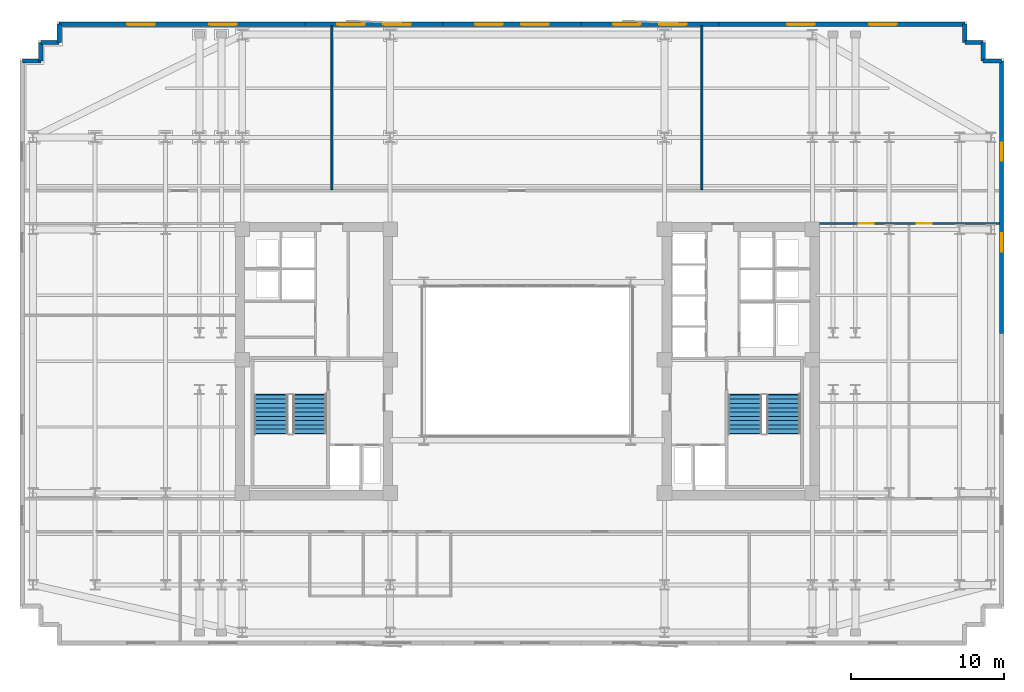
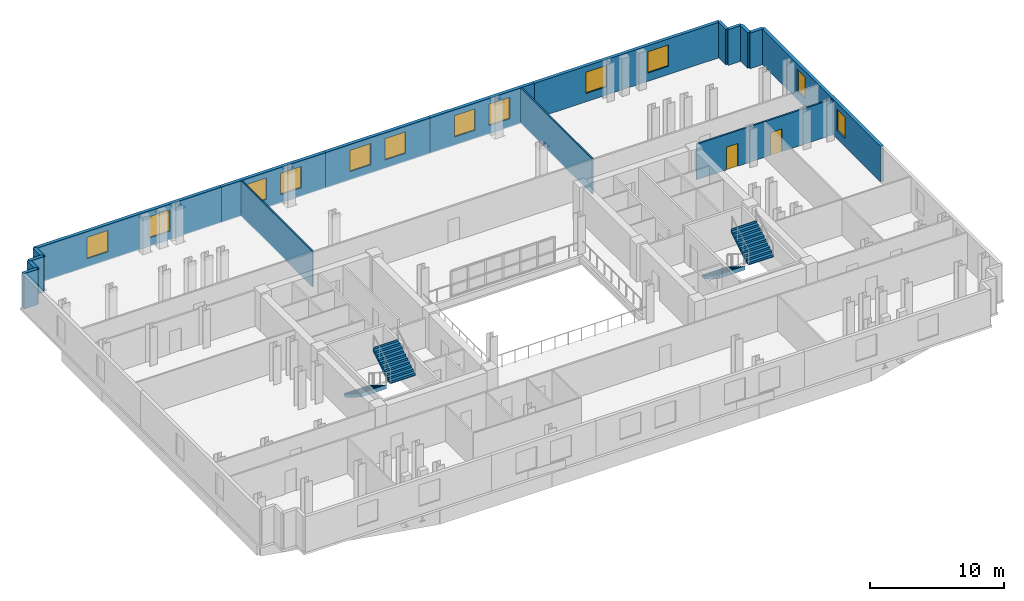
# One storey, part 10 of 12: 17 walls, 12 windows, 4 stair flights, 2 doors, 14 openings, 2 elements without a shape of their own.
"""IFC4 building model written with IfcOpenShell, lengths in metres."""

from ifc_helpers import new_model, si_unit, direction, frame, frame_2d, origin, place, context, subcontext, project, spatial, polyline, rectangle, outline, extrude, material, layer, layer_set, type_object, element, fill, aggregate, save


model = new_model("IFC4")

# Units and contexts
model_context = context("Model", 3, precision=1e-05, world=origin(), true_north=direction((0.0, 1.0)))
body_context = subcontext(model_context, "Body", "Model", "MODEL_VIEW")
ifc_project = project(units=[si_unit("LENGTHUNIT", "METRE"), si_unit("AREAUNIT", "SQUARE_METRE"), si_unit("VOLUMEUNIT", "CUBIC_METRE"), si_unit("PLANEANGLEUNIT", "RADIAN"), si_unit("MASSUNIT", "GRAM", prefix="KILO")], contexts=[model_context])

# Site, building, storey
site_placement = place(None, origin())
site = spatial("IfcSite", under=ifc_project, at=site_placement, CompositionType="ELEMENT")
building_placement = place(site_placement, origin())
building = spatial("IfcBuilding", under=site, at=building_placement, Name="Velakula Bourse", CompositionType="ELEMENT")
storey_placement = place(building_placement, frame((0.0, 0.0, 120.85009765625)))
storey = spatial("IfcBuildingStorey", under=building, at=storey_placement, Name="L32", CompositionType="ELEMENT", Elevation=120.85009765625)

# Wall, openings, windows
ifc_material_1 = material(Name="Red kilned clay facing brick masonry", Category="masonry")
ifc_layer_1 = layer(ifc_material_1, 0.280029296875, Name="Red kilned clay facing brick masonry", Category="masonry")
ifc_layer_set_1 = layer_set([ifc_layer_1], Name="Red kilned clay facing brick masonry")
wall_type_1 = type_object("IfcWallType", Name="WL-EXT-BRK-280", PredefinedType="STANDARD", material=ifc_layer_set_1)
wall_1_placement = place(storey_placement, frame((-30.5400390625, 21.989990234375, 0.0), z_axis=(0.0, 0.0, 1.0), x_axis=(1.0, 0.0, 0.0)))
wall_1 = element("IfcWall", 1, at=wall_1_placement, inside=storey, type_object=wall_type_1, Name="L32 N Brick Spandrel Wall B1", PredefinedType="STANDARD", context=body_context, shape_type="SweptSolid", body=[
    extrude(rectangle(XDim=16.0400390625, YDim=0.280029296875, at=frame_2d((8.02001953125, 0.0))), origin(), (0.0, 0.0, 1.0), 3.25),
])
opening_1_placement = place(wall_1_placement, frame((4.44677734375, 0.0, 0.760009765625)))
opening_1 = element("IfcOpeningElement", 2, at=opening_1_placement, cuts=wall_1, Name="Opening W-01", PredefinedType="OPENING", context=body_context, shape_type="SweptSolid", body=[
    extrude(rectangle(XDim=1.800048828125, YDim=1.949951171875, at=frame_2d((0.89990234375, 0.97509765625))), frame((0.0, 0.14990234375, 0.0), z_axis=(0.0, -1.0, 0.0), x_axis=(1.0, 0.0, 0.0)), (0.0, 0.0, 1.0), 0.300048828125),
])
opening_2_placement = place(wall_1_placement, frame((9.793212890625, 0.0, 0.760009765625)))
opening_2 = element("IfcOpeningElement", 3, at=opening_2_placement, cuts=wall_1, Name="Opening W-01", PredefinedType="OPENING", context=body_context, shape_type="SweptSolid", body=[
    extrude(rectangle(XDim=1.800048828125, YDim=1.949951171875, at=frame_2d((0.89990234375, 0.97509765625))), frame((0.0, 0.14990234375, 0.0), z_axis=(0.0, -1.0, 0.0), x_axis=(1.0, 0.0, 0.0)), (0.0, 0.0, 1.0), 0.300048828125),
])
ifc_material_2 = material(Name="Double-glazed solar-control Low-E glass", Category="glass")
window_type_1 = type_object("IfcWindowType", Name="WIN-TWR-1800x2100", PartitioningType="SINGLE_PANEL", PredefinedType="WINDOW", material=ifc_material_2)
window_1_placement = place(opening_1_placement, origin())
window_1 = element("IfcWindow", 4, at=window_1_placement, inside=storey, type_object=window_type_1, Name="L32 Deep-Set Recessed Window 1", OverallHeight=1.949951171875, OverallWidth=1.800048828125, PartitioningType="SINGLE_PANEL", PredefinedType="WINDOW", context=body_context, shape_type="SweptSolid", body=[
    extrude(rectangle(XDim=1.800048828125, YDim=1.949951171875, at=frame_2d((0.89990234375, 0.97509765625))), frame((0.0, 0.030029296875, 0.0), z_axis=(0.0, -1.0, 0.0), x_axis=(1.0, 0.0, 0.0)), (0.0, 0.0, 1.0), 0.06005859375),
])
fill(opening_1, window_1)
window_2_placement = place(opening_2_placement, origin())
window_2 = element("IfcWindow", 5, at=window_2_placement, inside=storey, type_object=window_type_1, Name="L32 Deep-Set Recessed Window 2", OverallHeight=1.949951171875, OverallWidth=1.800048828125, PartitioningType="SINGLE_PANEL", PredefinedType="WINDOW", context=body_context, shape_type="SweptSolid", body=[
    extrude(rectangle(XDim=1.800048828125, YDim=1.949951171875, at=frame_2d((0.89990234375, 0.97509765625))), frame((0.0, 0.030029296875, 0.0), z_axis=(0.0, -1.0, 0.0), x_axis=(1.0, 0.0, 0.0)), (0.0, 0.0, 1.0), 0.06005859375),
])
fill(opening_2, window_2)

wall_2_placement = place(storey_placement, frame((-14.5, 21.989990234375, 0.0), z_axis=(0.0, 0.0, 1.0), x_axis=(1.0, 0.0, 0.0)))
wall_2 = element("IfcWall", 6, at=wall_2_placement, inside=storey, type_object=wall_type_1, Name="L32 N Brick Spandrel Wall B2", PredefinedType="STANDARD", context=body_context, shape_type="SweptSolid", body=[
    extrude(rectangle(XDim=9.0, YDim=0.280029296875, at=frame_2d((4.5, 0.0))), origin(), (0.0, 0.0, 1.0), 3.25),
])
opening_3_placement = place(wall_2_placement, frame((2.10009765625, 0.0, 0.760009765625)))
opening_3 = element("IfcOpeningElement", 7, at=opening_3_placement, cuts=wall_2, Name="Opening W-01", PredefinedType="OPENING", context=body_context, shape_type="SweptSolid", body=[
    extrude(rectangle(XDim=1.800048828125, YDim=1.949951171875, at=frame_2d((0.89990234375, 0.97509765625))), frame((0.0, 0.14990234375, 0.0), z_axis=(0.0, -1.0, 0.0), x_axis=(1.0, 0.0, 0.0)), (0.0, 0.0, 1.0), 0.300048828125),
])
opening_4_placement = place(wall_2_placement, frame((5.10009765625, 0.0, 0.760009765625)))
opening_4 = element("IfcOpeningElement", 8, at=opening_4_placement, cuts=wall_2, Name="Opening W-01", PredefinedType="OPENING", context=body_context, shape_type="SweptSolid", body=[
    extrude(rectangle(XDim=1.800048828125, YDim=1.949951171875, at=frame_2d((0.89990234375, 0.97509765625))), frame((0.0, 0.14990234375, 0.0), z_axis=(0.0, -1.0, 0.0), x_axis=(1.0, 0.0, 0.0)), (0.0, 0.0, 1.0), 0.300048828125),
])
window_3_placement = place(opening_3_placement, origin())
window_3 = element("IfcWindow", 9, at=window_3_placement, inside=storey, type_object=window_type_1, Name="L32 Deep-Set Recessed Window 1", OverallHeight=1.949951171875, OverallWidth=1.800048828125, PartitioningType="SINGLE_PANEL", PredefinedType="WINDOW", context=body_context, shape_type="SweptSolid", body=[
    extrude(rectangle(XDim=1.800048828125, YDim=1.949951171875, at=frame_2d((0.89990234375, 0.97509765625))), frame((0.0, 0.030029296875, 0.0), z_axis=(0.0, -1.0, 0.0), x_axis=(1.0, 0.0, 0.0)), (0.0, 0.0, 1.0), 0.06005859375),
])
fill(opening_3, window_3)
window_4_placement = place(opening_4_placement, origin())
window_4 = element("IfcWindow", 10, at=window_4_placement, inside=storey, type_object=window_type_1, Name="L32 Deep-Set Recessed Window 2", OverallHeight=1.949951171875, OverallWidth=1.800048828125, PartitioningType="SINGLE_PANEL", PredefinedType="WINDOW", context=body_context, shape_type="SweptSolid", body=[
    extrude(rectangle(XDim=1.800048828125, YDim=1.949951171875, at=frame_2d((0.89990234375, 0.97509765625))), frame((0.0, 0.030029296875, 0.0), z_axis=(0.0, -1.0, 0.0), x_axis=(1.0, 0.0, 0.0)), (0.0, 0.0, 1.0), 0.06005859375),
])
fill(opening_4, window_4)

wall_3_placement = place(storey_placement, frame((-5.5, 21.989990234375, 0.0), z_axis=(0.0, 0.0, 1.0), x_axis=(1.0, 0.0, 0.0)))
wall_3 = element("IfcWall", 11, at=wall_3_placement, inside=storey, type_object=wall_type_1, Name="L32 N Brick Spandrel Wall B3", PredefinedType="STANDARD", context=body_context, shape_type="SweptSolid", body=[
    extrude(rectangle(XDim=9.0, YDim=0.280029296875, at=frame_2d((4.5, 0.0))), origin(), (0.0, 0.0, 1.0), 3.25),
])
opening_5_placement = place(wall_3_placement, frame((2.10009765625, 0.0, 0.760009765625)))
opening_5 = element("IfcOpeningElement", 12, at=opening_5_placement, cuts=wall_3, Name="Opening W-01", PredefinedType="OPENING", context=body_context, shape_type="SweptSolid", body=[
    extrude(rectangle(XDim=1.800048828125, YDim=1.949951171875, at=frame_2d((0.89990234375, 0.97509765625))), frame((0.0, 0.14990234375, 0.0), z_axis=(0.0, -1.0, 0.0), x_axis=(1.0, 0.0, 0.0)), (0.0, 0.0, 1.0), 0.300048828125),
])
opening_6_placement = place(wall_3_placement, frame((5.10009765625, 0.0, 0.760009765625)))
opening_6 = element("IfcOpeningElement", 13, at=opening_6_placement, cuts=wall_3, Name="Opening W-01", PredefinedType="OPENING", context=body_context, shape_type="SweptSolid", body=[
    extrude(rectangle(XDim=1.800048828125, YDim=1.949951171875, at=frame_2d((0.89990234375, 0.97509765625))), frame((0.0, 0.14990234375, 0.0), z_axis=(0.0, -1.0, 0.0), x_axis=(1.0, 0.0, 0.0)), (0.0, 0.0, 1.0), 0.300048828125),
])
window_5_placement = place(opening_5_placement, origin())
window_5 = element("IfcWindow", 14, at=window_5_placement, inside=storey, type_object=window_type_1, Name="L32 Deep-Set Recessed Window 1", OverallHeight=1.949951171875, OverallWidth=1.800048828125, PartitioningType="SINGLE_PANEL", PredefinedType="WINDOW", context=body_context, shape_type="SweptSolid", body=[
    extrude(rectangle(XDim=1.800048828125, YDim=1.949951171875, at=frame_2d((0.89990234375, 0.97509765625))), frame((0.0, 0.030029296875, 0.0), z_axis=(0.0, -1.0, 0.0), x_axis=(1.0, 0.0, 0.0)), (0.0, 0.0, 1.0), 0.06005859375),
])
fill(opening_5, window_5)
window_6_placement = place(opening_6_placement, origin())
window_6 = element("IfcWindow", 15, at=window_6_placement, inside=storey, type_object=window_type_1, Name="L32 Deep-Set Recessed Window 2", OverallHeight=1.949951171875, OverallWidth=1.800048828125, PartitioningType="SINGLE_PANEL", PredefinedType="WINDOW", context=body_context, shape_type="SweptSolid", body=[
    extrude(rectangle(XDim=1.800048828125, YDim=1.949951171875, at=frame_2d((0.89990234375, 0.97509765625))), frame((0.0, 0.030029296875, 0.0), z_axis=(0.0, -1.0, 0.0), x_axis=(1.0, 0.0, 0.0)), (0.0, 0.0, 1.0), 0.06005859375),
])
fill(opening_6, window_6)

wall_4_placement = place(storey_placement, frame((3.5, 21.989990234375, 0.0), z_axis=(0.0, 0.0, 1.0), x_axis=(1.0, 0.0, 0.0)))
wall_4 = element("IfcWall", 16, at=wall_4_placement, inside=storey, type_object=wall_type_1, Name="L32 N Brick Spandrel Wall B4", PredefinedType="STANDARD", context=body_context, shape_type="SweptSolid", body=[
    extrude(rectangle(XDim=9.0, YDim=0.280029296875, at=frame_2d((4.5, 0.0))), origin(), (0.0, 0.0, 1.0), 3.25),
])
opening_7_placement = place(wall_4_placement, frame((2.10009765625, 0.0, 0.760009765625)))
opening_7 = element("IfcOpeningElement", 17, at=opening_7_placement, cuts=wall_4, Name="Opening W-01", PredefinedType="OPENING", context=body_context, shape_type="SweptSolid", body=[
    extrude(rectangle(XDim=1.800048828125, YDim=1.949951171875, at=frame_2d((0.89990234375, 0.97509765625))), frame((0.0, 0.14990234375, 0.0), z_axis=(0.0, -1.0, 0.0), x_axis=(1.0, 0.0, 0.0)), (0.0, 0.0, 1.0), 0.300048828125),
])
opening_8_placement = place(wall_4_placement, frame((5.10009765625, 0.0, 0.760009765625)))
opening_8 = element("IfcOpeningElement", 18, at=opening_8_placement, cuts=wall_4, Name="Opening W-01", PredefinedType="OPENING", context=body_context, shape_type="SweptSolid", body=[
    extrude(rectangle(XDim=1.800048828125, YDim=1.949951171875, at=frame_2d((0.89990234375, 0.97509765625))), frame((0.0, 0.14990234375, 0.0), z_axis=(0.0, -1.0, 0.0), x_axis=(1.0, 0.0, 0.0)), (0.0, 0.0, 1.0), 0.300048828125),
])
window_7_placement = place(opening_7_placement, origin())
window_7 = element("IfcWindow", 19, at=window_7_placement, inside=storey, type_object=window_type_1, Name="L32 Deep-Set Recessed Window 1", OverallHeight=1.949951171875, OverallWidth=1.800048828125, PartitioningType="SINGLE_PANEL", PredefinedType="WINDOW", context=body_context, shape_type="SweptSolid", body=[
    extrude(rectangle(XDim=1.800048828125, YDim=1.949951171875, at=frame_2d((0.89990234375, 0.97509765625))), frame((0.0, 0.030029296875, 0.0), z_axis=(0.0, -1.0, 0.0), x_axis=(1.0, 0.0, 0.0)), (0.0, 0.0, 1.0), 0.06005859375),
])
fill(opening_7, window_7)
window_8_placement = place(opening_8_placement, origin())
window_8 = element("IfcWindow", 20, at=window_8_placement, inside=storey, type_object=window_type_1, Name="L32 Deep-Set Recessed Window 2", OverallHeight=1.949951171875, OverallWidth=1.800048828125, PartitioningType="SINGLE_PANEL", PredefinedType="WINDOW", context=body_context, shape_type="SweptSolid", body=[
    extrude(rectangle(XDim=1.800048828125, YDim=1.949951171875, at=frame_2d((0.89990234375, 0.97509765625))), frame((0.0, 0.030029296875, 0.0), z_axis=(0.0, -1.0, 0.0), x_axis=(1.0, 0.0, 0.0)), (0.0, 0.0, 1.0), 0.06005859375),
])
fill(opening_8, window_8)

wall_5_placement = place(storey_placement, frame((12.5, 21.989990234375, 0.0), z_axis=(0.0, 0.0, 1.0), x_axis=(1.0, 0.0, 0.0)))
wall_5 = element("IfcWall", 21, at=wall_5_placement, inside=storey, type_object=wall_type_1, Name="L32 N Brick Spandrel Wall B5", PredefinedType="STANDARD", context=body_context, shape_type="SweptSolid", body=[
    extrude(rectangle(XDim=16.0400390625, YDim=0.280029296875, at=frame_2d((8.02001953125, 0.0))), origin(), (0.0, 0.0, 1.0), 3.25),
])
opening_9_placement = place(wall_5_placement, frame((4.44677734375, 0.0, 0.760009765625)))
opening_9 = element("IfcOpeningElement", 22, at=opening_9_placement, cuts=wall_5, Name="Opening W-01", PredefinedType="OPENING", context=body_context, shape_type="SweptSolid", body=[
    extrude(rectangle(XDim=1.800048828125, YDim=1.949951171875, at=frame_2d((0.89990234375, 0.97509765625))), frame((0.0, 0.14990234375, 0.0), z_axis=(0.0, -1.0, 0.0), x_axis=(1.0, 0.0, 0.0)), (0.0, 0.0, 1.0), 0.300048828125),
])
opening_10_placement = place(wall_5_placement, frame((9.793212890625, 0.0, 0.760009765625)))
opening_10 = element("IfcOpeningElement", 23, at=opening_10_placement, cuts=wall_5, Name="Opening W-01", PredefinedType="OPENING", context=body_context, shape_type="SweptSolid", body=[
    extrude(rectangle(XDim=1.800048828125, YDim=1.949951171875, at=frame_2d((0.89990234375, 0.97509765625))), frame((0.0, 0.14990234375, 0.0), z_axis=(0.0, -1.0, 0.0), x_axis=(1.0, 0.0, 0.0)), (0.0, 0.0, 1.0), 0.300048828125),
])
window_9_placement = place(opening_9_placement, origin())
window_9 = element("IfcWindow", 24, at=window_9_placement, inside=storey, type_object=window_type_1, Name="L32 Deep-Set Recessed Window 1", OverallHeight=1.949951171875, OverallWidth=1.800048828125, PartitioningType="SINGLE_PANEL", PredefinedType="WINDOW", context=body_context, shape_type="SweptSolid", body=[
    extrude(rectangle(XDim=1.800048828125, YDim=1.949951171875, at=frame_2d((0.89990234375, 0.97509765625))), frame((0.0, 0.030029296875, 0.0), z_axis=(0.0, -1.0, 0.0), x_axis=(1.0, 0.0, 0.0)), (0.0, 0.0, 1.0), 0.06005859375),
])
fill(opening_9, window_9)
window_10_placement = place(opening_10_placement, origin())
window_10 = element("IfcWindow", 25, at=window_10_placement, inside=storey, type_object=window_type_1, Name="L32 Deep-Set Recessed Window 2", OverallHeight=1.949951171875, OverallWidth=1.800048828125, PartitioningType="SINGLE_PANEL", PredefinedType="WINDOW", context=body_context, shape_type="SweptSolid", body=[
    extrude(rectangle(XDim=1.800048828125, YDim=1.949951171875, at=frame_2d((0.89990234375, 0.97509765625))), frame((0.0, 0.030029296875, 0.0), z_axis=(0.0, -1.0, 0.0), x_axis=(1.0, 0.0, 0.0)), (0.0, 0.0, 1.0), 0.06005859375),
])
fill(opening_10, window_10)

wall_6_placement = place(storey_placement, frame((30.93994140625, 19.590087890625, 0.0), z_axis=(0.0, 0.0, 1.0), x_axis=(0.0, -1.0, 0.0)))
wall_6 = element("IfcWall", 26, at=wall_6_placement, inside=storey, type_object=wall_type_1, Name="L32 E Brick End Wall W2", PredefinedType="STANDARD", context=body_context, shape_type="SweptSolid", body=[
    extrude(rectangle(XDim=17.7900390625, YDim=0.280029296875, at=frame_2d((8.89501953125, 0.0))), origin(), (0.0, 0.0, 1.0), 3.25),
])
opening_11_placement = place(wall_6_placement, frame((5.330078125, 0.0, 0.760009765625)))
opening_11 = element("IfcOpeningElement", 27, at=opening_11_placement, cuts=wall_6, Name="Opening W-04", PredefinedType="OPENING", context=body_context, shape_type="SweptSolid", body=[
    extrude(rectangle(XDim=1.199951171875, YDim=1.949951171875, at=frame_2d((0.60009765625, 0.97509765625))), frame((0.0, 0.14990234375, 0.0), z_axis=(0.0, -1.0, 0.0), x_axis=(1.0, 0.0, 0.0)), (0.0, 0.0, 1.0), 0.300048828125),
])
opening_12_placement = place(wall_6_placement, frame((11.260009765625, 0.0, 0.760009765625)))
opening_12 = element("IfcOpeningElement", 28, at=opening_12_placement, cuts=wall_6, Name="Opening W-04", PredefinedType="OPENING", context=body_context, shape_type="SweptSolid", body=[
    extrude(rectangle(XDim=1.199951171875, YDim=1.949951171875, at=frame_2d((0.60009765625, 0.97509765625))), frame((0.0, 0.14990234375, 0.0), z_axis=(0.0, -1.0, 0.0), x_axis=(1.0, 0.0, 0.0)), (0.0, 0.0, 1.0), 0.300048828125),
])
window_type_2 = type_object("IfcWindowType", Name="WIN-TWR-1200x2100", PartitioningType="SINGLE_PANEL", PredefinedType="WINDOW", material=ifc_material_2)
window_11_placement = place(opening_11_placement, origin())
window_11 = element("IfcWindow", 29, at=window_11_placement, inside=storey, type_object=window_type_2, Name="L32 Deep-Set Recessed Window 1", OverallHeight=1.949951171875, OverallWidth=1.199951171875, PartitioningType="SINGLE_PANEL", PredefinedType="WINDOW", context=body_context, shape_type="SweptSolid", body=[
    extrude(rectangle(XDim=1.199951171875, YDim=1.949951171875, at=frame_2d((0.60009765625, 0.97509765625))), frame((0.0, 0.030029296875, 0.0), z_axis=(0.0, -1.0, 0.0), x_axis=(1.0, 0.0, 0.0)), (0.0, 0.0, 1.0), 0.06005859375),
])
fill(opening_11, window_11)
window_12_placement = place(opening_12_placement, origin())
window_12 = element("IfcWindow", 30, at=window_12_placement, inside=storey, type_object=window_type_2, Name="L32 Deep-Set Recessed Window 2", OverallHeight=1.949951171875, OverallWidth=1.199951171875, PartitioningType="SINGLE_PANEL", PredefinedType="WINDOW", context=body_context, shape_type="SweptSolid", body=[
    extrude(rectangle(XDim=1.199951171875, YDim=1.949951171875, at=frame_2d((0.60009765625, 0.97509765625))), frame((0.0, 0.030029296875, 0.0), z_axis=(0.0, -1.0, 0.0), x_axis=(1.0, 0.0, 0.0)), (0.0, 0.0, 1.0), 0.06005859375),
])
fill(opening_12, window_12)

# Walls
for number, where, z_axis, x_axis, name in (
    (31, (30.93994140625, 19.590087890625, 0.0), (0.0, 0.0, 1.0), (-1.0, 0.0, 0.0), "L32 Serrated Corner Brick Wall NE-1"),
    (32, (29.739990234375, 19.590087890625, 0.0), (0.0, 0.0, 1.0), (0.0, 1.0, 0.0), "L32 Serrated Corner Brick Wall NE-2"),
    (33, (29.739990234375, 20.7900390625, 0.0), (0.0, 0.0, 1.0), (-1.0, 0.0, 0.0), "L32 Serrated Corner Brick Wall NE-3"),
    (34, (28.5400390625, 20.7900390625, 0.0), (0.0, 0.0, 1.0), (0.0, 1.0, 0.0), "L32 Serrated Corner Brick Wall NE-4"),
    (35, (-30.5400390625, 21.989990234375, 0.0), (0.0, 0.0, 1.0), (0.0, -1.0, 0.0), "L32 Serrated Corner Brick Wall NW-1"),
    (36, (-30.5400390625, 20.7900390625, 0.0), (0.0, 0.0, 1.0), (-1.0, 0.0, 0.0), "L32 Serrated Corner Brick Wall NW-2"),
    (37, (-31.739990234375, 20.7900390625, 0.0), (0.0, 0.0, 1.0), (0.0, -1.0, 0.0), "L32 Serrated Corner Brick Wall NW-3"),
    (38, (-31.739990234375, 19.590087890625, 0.0), (0.0, 0.0, 1.0), (-1.0, 0.0, 0.0), "L32 Serrated Corner Brick Wall NW-4"),
):
    element("IfcWall", number, at=place(storey_placement, frame(where, z_axis=z_axis, x_axis=x_axis)), inside=storey, type_object=wall_type_1, Name=name, PredefinedType="STANDARD", context=body_context, shape_type="SweptSolid", body=[
        extrude(rectangle(XDim=1.199951171875, YDim=0.280029296875, at=frame_2d((0.60009765625, 0.0))), origin(), (0.0, 0.0, 1.0), 3.25),
    ])
ifc_material_3 = material(Name="Fire-rated double-layer gypsum drywall partition", Category="gypsum")
ifc_layer_2 = layer(ifc_material_3, 0.1201171875, Name="Fire-rated double-layer gypsum drywall partition", Category="gypsum")
ifc_layer_set_2 = layer_set([ifc_layer_2], Name="Fire-rated double-layer gypsum drywall partition")
wall_type_2 = type_object("IfcWallType", Name="WL-PART-120", PredefinedType="STANDARD", material=ifc_layer_set_2)
for number, where, z_axis, x_axis, name in (
    (39, (-12.7509765625, 11.18994140625, 0.0), (0.0, 0.0, 1.0), (0.0, 1.0, 0.0), "L32 Interior Partition WL-INT-L32-N-D1"),
    (40, (11.385986328125, 11.18994140625, 0.0), (0.0, 0.0, 1.0), (0.0, 1.0, 0.0), "L32 Interior Partition WL-INT-L32-N-D2"),
):
    element("IfcWall", number, at=place(storey_placement, frame(where, z_axis=z_axis, x_axis=x_axis)), inside=storey, type_object=wall_type_2, Name=name, PredefinedType="STANDARD", context=body_context, shape_type="SweptSolid", body=[
        extrude(rectangle(XDim=10.68017578125, YDim=0.1201171875, at=frame_2d((5.340087890625, 0.0))), origin(), (0.0, 0.0, 1.0), 3.25),
    ])

# Wall, openings, doors
ifc_layer_3 = layer(ifc_material_3, 0.139892578125, Name="Fire-rated double-layer gypsum drywall partition", Category="gypsum")
ifc_layer_set_3 = layer_set([ifc_layer_3], Name="Fire-rated double-layer gypsum drywall partition")
wall_type_3 = type_object("IfcWallType", Name="WL-PART-140", PredefinedType="STANDARD", material=ifc_layer_set_3)
wall_7_placement = place(storey_placement, frame((19.050048828125, 8.97998046875, 0.0), z_axis=(0.0, 0.0, 1.0), x_axis=(1.0, 0.0, 0.0)))
wall_7 = element("IfcWall", 41, at=wall_7_placement, inside=storey, type_object=wall_type_3, Name="L32 Interior Partition WL-INT-L32-E-NC", PredefinedType="STANDARD", context=body_context, shape_type="SweptSolid", body=[
    extrude(rectangle(XDim=11.77001953125, YDim=0.139892578125, at=frame_2d((5.885009765625, 0.0))), origin(), (0.0, 0.0, 1.0), 3.25),
])
opening_13_placement = place(wall_7_placement, frame((2.5576171875, 0.0, 0.0)))
opening_13 = element("IfcOpeningElement", 42, at=opening_13_placement, cuts=wall_7, Name="Opening D-OF1", PredefinedType="OPENING", context=body_context, shape_type="SweptSolid", body=[
    extrude(rectangle(XDim=1.0, YDim=2.080078125, at=frame_2d((0.5, 1.0400390625))), frame((0.0, 0.079833984375, 0.0), z_axis=(0.0, -1.0, 0.0), x_axis=(1.0, 0.0, 0.0)), (0.0, 0.0, 1.0), 0.159912109375),
])
opening_14_placement = place(wall_7_placement, frame((6.346923828125, 0.0, 0.0)))
opening_14 = element("IfcOpeningElement", 43, at=opening_14_placement, cuts=wall_7, Name="Opening D-OF1", PredefinedType="OPENING", context=body_context, shape_type="SweptSolid", body=[
    extrude(rectangle(XDim=1.0, YDim=2.080078125, at=frame_2d((0.5, 1.0400390625))), frame((0.0, 0.079833984375, 0.0), z_axis=(0.0, -1.0, 0.0), x_axis=(1.0, 0.0, 0.0)), (0.0, 0.0, 1.0), 0.159912109375),
])
ifc_material_4 = material(Name="Fire-rated hardwood flush architectural door", Category="wood")
door_type = type_object("IfcDoorType", Name="DR-OFF-1000", OperationType="NOTDEFINED", PredefinedType="DOOR", material=ifc_material_4)
door_1_placement = place(opening_13_placement, origin())
door_1 = element("IfcDoor", 44, at=door_1_placement, inside=storey, type_object=door_type, Name="L32 Legal Counsel Office Door", OperationType="SINGLE_SWING_LEFT", OverallHeight=2.080078125, OverallWidth=1.0, PredefinedType="DOOR", context=body_context, shape_type="SweptSolid", body=[
    extrude(rectangle(XDim=1.0, YDim=2.080078125, at=frame_2d((0.5, 1.0400390625))), frame((0.0, 0.02490234375, 0.0), z_axis=(0.0, -1.0, 0.0), x_axis=(1.0, 0.0, 0.0)), (0.0, 0.0, 1.0), 0.050048828125),
])
fill(opening_13, door_1)
door_2_placement = place(opening_14_placement, origin())
door_2 = element("IfcDoor", 45, at=door_2_placement, inside=storey, type_object=door_type, Name="L32 Disciplinary Hearing Room Door", OperationType="SINGLE_SWING_RIGHT", OverallHeight=2.080078125, OverallWidth=1.0, PredefinedType="DOOR", context=body_context, shape_type="SweptSolid", body=[
    extrude(rectangle(XDim=1.0, YDim=2.080078125, at=frame_2d((0.5, 1.0400390625))), frame((0.0, 0.02490234375, 0.0), z_axis=(0.0, -1.0, 0.0), x_axis=(1.0, 0.0, 0.0)), (0.0, 0.0, 1.0), 0.050048828125),
])
fill(opening_14, door_2)

# Stair, stair flights
ifc_material_5 = material(Name="Concrete M45 (fck 45 MPa)", Category="concrete")
stair_type = type_object("IfcStairType", Name="STR-DOG-390", PredefinedType="HALF_TURN_STAIR", material=ifc_material_5)
stair_1_placement = place(storey_placement, origin())
stair_1 = element("IfcStair", 46, at=stair_1_placement, inside=storey, type_object=stair_type, Name="L32 West Core Exit Stair ST-W1", PredefinedType="HALF_TURN_STAIR")
ifc_layer_4 = layer(ifc_material_5, 0.195068359375, Name="Concrete M45 (fck 45 MPa)", Category="concrete")
ifc_layer_set_4 = layer_set([ifc_layer_4], Name="Concrete M45 (fck 45 MPa)")
stair_flight_type = type_object("IfcStairFlightType", Name="FLT-DOG-390", PredefinedType="STRAIGHT", material=ifc_layer_set_4)
stair_flight_1_placement = place(storey_placement, frame((-16.720947265625, -2.199951171875, 0.0), z_axis=(0.0, 0.0, 1.0), x_axis=(0.0, -1.0, 0.0)))
stair_flight_1 = element("IfcStairFlight", 47, at=stair_flight_1_placement, type_object=stair_flight_type, Name="ST-W1 flight 1", NumberOfRisers=10, NumberOfTreads=9, PredefinedType="STRAIGHT", RiserHeight=0.1725, TreadLength=0.28, context=body_context, shape_type="SweptSolid", body=[
    extrude(outline(polyline([(-0.044921875, -0.0400390625), (-0.044921875, -0.036865234375), (-0.044921875, -0.033935546875), (-0.044921875, -0.03076171875), (-0.044921875, -0.027587890625), (-0.044921875, -0.024658203125), (-0.044921875, -0.021484375), (-0.044921875, -0.0185546875), (-0.044921875, -0.015380859375), (-0.044921875, -0.01220703125), (-0.044921875, -0.00927734375), (-0.044921875, -0.006103515625), (-0.044921875, -0.003173828125), (-0.044921875, 0.0), (0.0, 0.0), (0.0, 0.172607421875), (0.280029296875, 0.172607421875), (0.280029296875, 0.344970703125), (0.56005859375, 0.344970703125), (0.56005859375, 0.517578125), (0.840087890625, 0.517578125), (0.840087890625, 0.68994140625), (1.1201171875, 0.68994140625), (1.1201171875, 0.862548828125), (1.39990234375, 0.862548828125), (1.39990234375, 1.034912109375), (1.679931640625, 1.034912109375), (1.679931640625, 1.20751953125), (1.9599609375, 1.20751953125), (1.9599609375, 1.3798828125), (2.239990234375, 1.3798828125), (2.239990234375, 1.552490234375), (2.52001953125, 1.552490234375), (2.52001953125, 1.72509765625), (2.56494140625, 1.72509765625), (2.56494140625, 1.7001953125), (2.56494140625, 1.67529296875), (2.56494140625, 1.650390625), (2.56494140625, 1.62548828125), (2.56494140625, 1.6005859375), (2.56494140625, 1.57568359375), (2.56494140625, 1.55078125), (2.56494140625, 1.52587890625), (2.56494140625, 1.5009765625), (2.56494140625, 1.47607421875), (2.56494140625, 1.451171875), (2.56494140625, 1.42626953125), (2.56494140625, 1.4013671875), (2.56494140625, 1.37646484375), (0.285888671875, -0.0400390625), (-0.044921875, -0.0400390625)])), frame((0.0, 1.09912109375, 0.0), z_axis=(0.0, -1.0, 0.0), x_axis=(1.0, 0.0, 0.0)), (0.0, 0.0, 1.0), 2.197998046875),
])
stair_flight_2_placement = place(storey_placement, frame((-14.198974609375, -4.719970703125, 1.724853515625), z_axis=(0.0, 0.0, 1.0), x_axis=(0.0, 1.0, 0.0)))
stair_flight_2 = element("IfcStairFlight", 48, at=stair_flight_2_placement, type_object=stair_flight_type, Name="ST-W1 flight 2", NumberOfRisers=10, NumberOfTreads=9, PredefinedType="STRAIGHT", RiserHeight=0.1725, TreadLength=0.28, context=body_context, shape_type="SweptSolid", body=[
    extrude(outline(polyline([(-0.044921875, -0.0400390625), (-0.044921875, -0.036865234375), (-0.044921875, -0.033935546875), (-0.044921875, -0.03076171875), (-0.044921875, -0.027587890625), (-0.044921875, -0.024658203125), (-0.044921875, -0.021484375), (-0.044921875, -0.0185546875), (-0.044921875, -0.015380859375), (-0.044921875, -0.01220703125), (-0.044921875, -0.00927734375), (-0.044921875, -0.006103515625), (-0.044921875, -0.003173828125), (-0.044921875, 0.0), (0.0, 0.0), (0.0, 0.172607421875), (0.280029296875, 0.172607421875), (0.280029296875, 0.344970703125), (0.56005859375, 0.344970703125), (0.56005859375, 0.517578125), (0.840087890625, 0.517578125), (0.840087890625, 0.68994140625), (1.1201171875, 0.68994140625), (1.1201171875, 0.862548828125), (1.39990234375, 0.862548828125), (1.39990234375, 1.034912109375), (1.679931640625, 1.034912109375), (1.679931640625, 1.20751953125), (1.9599609375, 1.20751953125), (1.9599609375, 1.3798828125), (2.239990234375, 1.3798828125), (2.239990234375, 1.552490234375), (2.52001953125, 1.552490234375), (2.52001953125, 1.72509765625), (2.56494140625, 1.72509765625), (2.56494140625, 1.7001953125), (2.56494140625, 1.67529296875), (2.56494140625, 1.650390625), (2.56494140625, 1.62548828125), (2.56494140625, 1.6005859375), (2.56494140625, 1.57568359375), (2.56494140625, 1.55078125), (2.56494140625, 1.52587890625), (2.56494140625, 1.5009765625), (2.56494140625, 1.47607421875), (2.56494140625, 1.451171875), (2.56494140625, 1.42626953125), (2.56494140625, 1.4013671875), (2.56494140625, 1.37646484375), (0.285888671875, -0.0400390625), (-0.044921875, -0.0400390625)])), frame((0.0, 1.09912109375, 0.0), z_axis=(0.0, -1.0, 0.0), x_axis=(1.0, 0.0, 0.0)), (0.0, 0.0, 1.0), 2.197998046875),
])
aggregate(stair_1, [stair_flight_1, stair_flight_2])

stair_2_placement = place(storey_placement, origin())
stair_2 = element("IfcStair", 49, at=stair_2_placement, inside=storey, type_object=stair_type, Name="L32 East Core Exit Stair ST-E1", PredefinedType="HALF_TURN_STAIR")
stair_flight_3_placement = place(storey_placement, frame((14.198974609375, -2.199951171875, 0.0), z_axis=(0.0, 0.0, 1.0), x_axis=(0.0, -1.0, 0.0)))
stair_flight_3 = element("IfcStairFlight", 50, at=stair_flight_3_placement, type_object=stair_flight_type, Name="ST-E1 flight 1", NumberOfRisers=10, NumberOfTreads=9, PredefinedType="STRAIGHT", RiserHeight=0.1725, TreadLength=0.28, context=body_context, shape_type="SweptSolid", body=[
    extrude(outline(polyline([(-0.044921875, -0.0400390625), (-0.044921875, -0.036865234375), (-0.044921875, -0.033935546875), (-0.044921875, -0.03076171875), (-0.044921875, -0.027587890625), (-0.044921875, -0.024658203125), (-0.044921875, -0.021484375), (-0.044921875, -0.0185546875), (-0.044921875, -0.015380859375), (-0.044921875, -0.01220703125), (-0.044921875, -0.00927734375), (-0.044921875, -0.006103515625), (-0.044921875, -0.003173828125), (-0.044921875, 0.0), (0.0, 0.0), (0.0, 0.172607421875), (0.280029296875, 0.172607421875), (0.280029296875, 0.344970703125), (0.56005859375, 0.344970703125), (0.56005859375, 0.517578125), (0.840087890625, 0.517578125), (0.840087890625, 0.68994140625), (1.1201171875, 0.68994140625), (1.1201171875, 0.862548828125), (1.39990234375, 0.862548828125), (1.39990234375, 1.034912109375), (1.679931640625, 1.034912109375), (1.679931640625, 1.20751953125), (1.9599609375, 1.20751953125), (1.9599609375, 1.3798828125), (2.239990234375, 1.3798828125), (2.239990234375, 1.552490234375), (2.52001953125, 1.552490234375), (2.52001953125, 1.72509765625), (2.56494140625, 1.72509765625), (2.56494140625, 1.7001953125), (2.56494140625, 1.67529296875), (2.56494140625, 1.650390625), (2.56494140625, 1.62548828125), (2.56494140625, 1.6005859375), (2.56494140625, 1.57568359375), (2.56494140625, 1.55078125), (2.56494140625, 1.52587890625), (2.56494140625, 1.5009765625), (2.56494140625, 1.47607421875), (2.56494140625, 1.451171875), (2.56494140625, 1.42626953125), (2.56494140625, 1.4013671875), (2.56494140625, 1.37646484375), (0.285888671875, -0.0400390625), (-0.044921875, -0.0400390625)])), frame((0.0, 1.09912109375, 0.0), z_axis=(0.0, -1.0, 0.0), x_axis=(1.0, 0.0, 0.0)), (0.0, 0.0, 1.0), 2.197998046875),
])
stair_flight_4_placement = place(storey_placement, frame((16.720947265625, -4.719970703125, 1.724853515625), z_axis=(0.0, 0.0, 1.0), x_axis=(0.0, 1.0, 0.0)))
stair_flight_4 = element("IfcStairFlight", 51, at=stair_flight_4_placement, type_object=stair_flight_type, Name="ST-E1 flight 2", NumberOfRisers=10, NumberOfTreads=9, PredefinedType="STRAIGHT", RiserHeight=0.1725, TreadLength=0.28, context=body_context, shape_type="SweptSolid", body=[
    extrude(outline(polyline([(-0.044921875, -0.0400390625), (-0.044921875, -0.036865234375), (-0.044921875, -0.033935546875), (-0.044921875, -0.03076171875), (-0.044921875, -0.027587890625), (-0.044921875, -0.024658203125), (-0.044921875, -0.021484375), (-0.044921875, -0.0185546875), (-0.044921875, -0.015380859375), (-0.044921875, -0.01220703125), (-0.044921875, -0.00927734375), (-0.044921875, -0.006103515625), (-0.044921875, -0.003173828125), (-0.044921875, 0.0), (0.0, 0.0), (0.0, 0.172607421875), (0.280029296875, 0.172607421875), (0.280029296875, 0.344970703125), (0.56005859375, 0.344970703125), (0.56005859375, 0.517578125), (0.840087890625, 0.517578125), (0.840087890625, 0.68994140625), (1.1201171875, 0.68994140625), (1.1201171875, 0.862548828125), (1.39990234375, 0.862548828125), (1.39990234375, 1.034912109375), (1.679931640625, 1.034912109375), (1.679931640625, 1.20751953125), (1.9599609375, 1.20751953125), (1.9599609375, 1.3798828125), (2.239990234375, 1.3798828125), (2.239990234375, 1.552490234375), (2.52001953125, 1.552490234375), (2.52001953125, 1.72509765625), (2.56494140625, 1.72509765625), (2.56494140625, 1.7001953125), (2.56494140625, 1.67529296875), (2.56494140625, 1.650390625), (2.56494140625, 1.62548828125), (2.56494140625, 1.6005859375), (2.56494140625, 1.57568359375), (2.56494140625, 1.55078125), (2.56494140625, 1.52587890625), (2.56494140625, 1.5009765625), (2.56494140625, 1.47607421875), (2.56494140625, 1.451171875), (2.56494140625, 1.42626953125), (2.56494140625, 1.4013671875), (2.56494140625, 1.37646484375), (0.285888671875, -0.0400390625), (-0.044921875, -0.0400390625)])), frame((0.0, 1.09912109375, 0.0), z_axis=(0.0, -1.0, 0.0), x_axis=(1.0, 0.0, 0.0)), (0.0, 0.0, 1.0), 2.197998046875),
])
aggregate(stair_2, [stair_flight_3, stair_flight_4])

save(model, "model.ifc")
